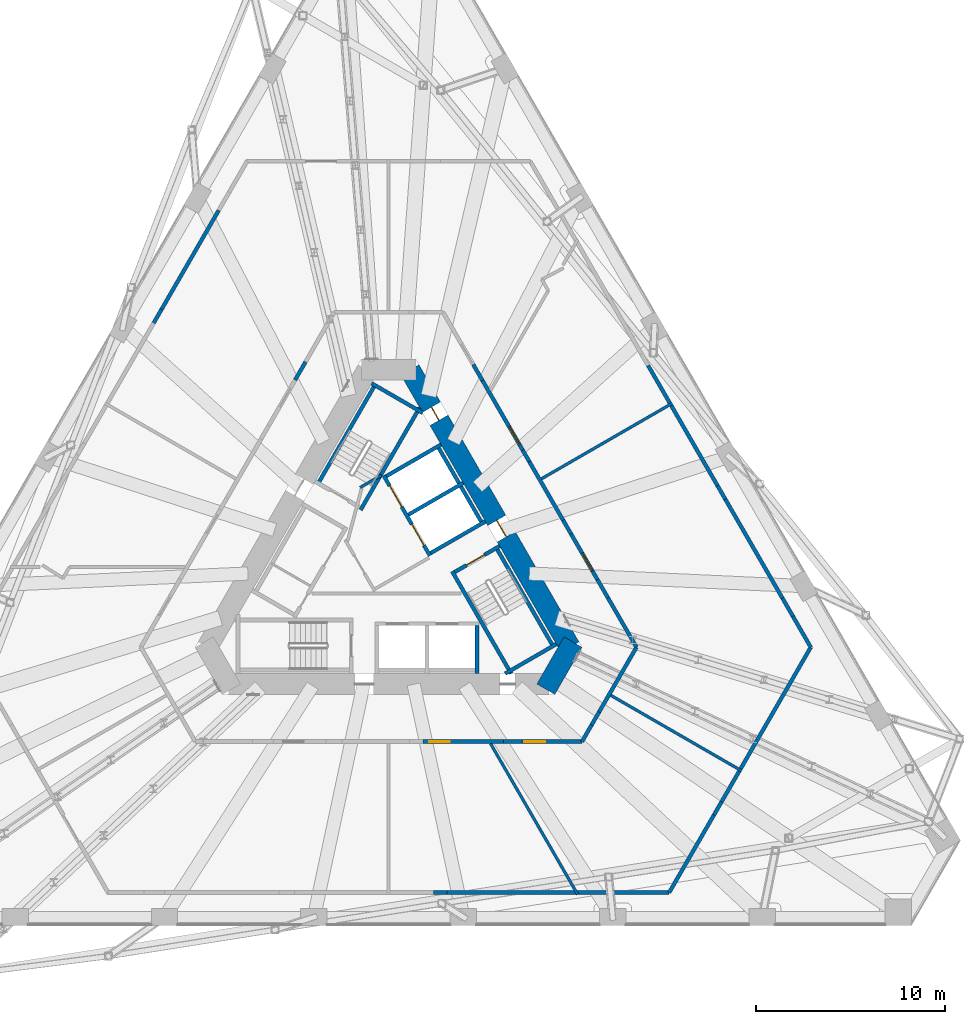
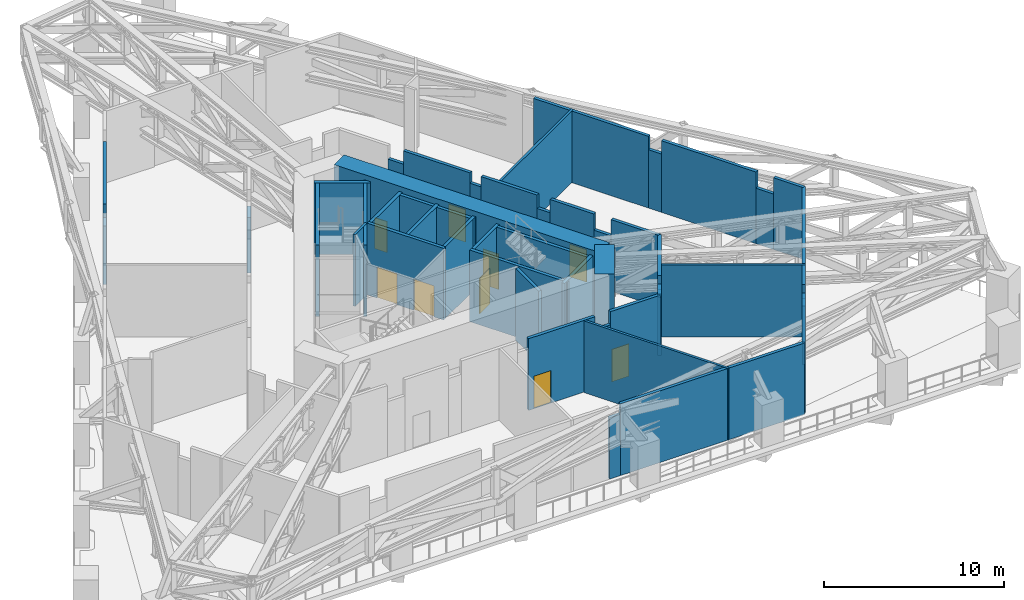
# One storey, part 12 of 20: 46 walls, 9 doors, 9 openings.
"""IFC4 building model written with IfcOpenShell, lengths in metres."""

from ifc_helpers import new_model, si_unit, direction, frame, frame_2d, origin, place, context, subcontext, project, spatial, rectangle, extrude, material, layer, layer_set, type_object, element, fill, save


model = new_model("IFC4")

# Units and contexts
model_context = context("Model", 3, precision=1e-05, world=origin(), true_north=direction((0.0, 1.0)))
body_context = subcontext(model_context, "Body", "Model", "MODEL_VIEW")
ifc_project = project(units=[si_unit("LENGTHUNIT", "METRE"), si_unit("AREAUNIT", "SQUARE_METRE"), si_unit("VOLUMEUNIT", "CUBIC_METRE"), si_unit("PLANEANGLEUNIT", "RADIAN"), si_unit("MASSUNIT", "GRAM", prefix="KILO")], contexts=[model_context])

# Site, building, storey
site_placement = place(None, origin())
site = spatial("IfcSite", under=ifc_project, at=site_placement, CompositionType="ELEMENT")
building_placement = place(site_placement, origin())
building = spatial("IfcBuilding", under=site, at=building_placement, Name="Tramontana Tower", CompositionType="ELEMENT")
storey_placement = place(building_placement, frame((0.0, 0.0, 46.0)))
storey = spatial("IfcBuildingStorey", under=building, at=storey_placement, Name="L09", CompositionType="ELEMENT", Elevation=46.0)

# Wall
ifc_material_1 = material(Name="Concrete 70 MPa", Category="concrete")
ifc_layer_1 = layer(ifc_material_1, 1.10009765625)
ifc_layer_set_1 = layer_set([ifc_layer_1], Name="Core wall 1100 70 MPa")
wall_type_1 = type_object("IfcWallType", Name="Core wall 1100 70 MPa", PredefinedType="SHEAR", material=ifc_layer_set_1)
wall_1_placement = place(storey_placement, frame((8.328369140625, -6.47509765625, 0.0), z_axis=(0.0, 0.0, 1.0), x_axis=(0.499995765644, 0.866027848477, 0.0)))
element("IfcWall", 1, at=wall_1_placement, inside=storey, type_object=wall_type_1, Name="Core wall C4 L09", PredefinedType="SHEAR", context=body_context, shape_type="SweptSolid", body=[
    extrude(rectangle(XDim=2.88671875, YDim=1.10009765625, at=frame_2d((1.443359375, 0.0))), origin(), (0.0, 0.0, 1.0), 5.199951171875),
])

# Wall, openings, doors
wall_2_placement = place(storey_placement, frame((9.61279296875, -4.25, 0.0), z_axis=(0.0, 0.0, 1.0), x_axis=(-0.500001757713, 0.866024388966, 0.0)))
wall_2 = element("IfcWall", 2, at=wall_2_placement, inside=storey, type_object=wall_type_1, Name="Core wall C5 L09", PredefinedType="SHEAR", context=body_context, shape_type="SweptSolid", body=[
    extrude(rectangle(XDim=16.97412109375, YDim=1.10009765625, at=frame_2d((8.487060546875, 0.0))), origin(), (0.0, 0.0, 1.0), 5.199951171875),
])
opening_1_placement = place(wall_2_placement, frame((6.761962890625, 0.0, 0.0)))
opening_1 = element("IfcOpeningElement", 3, at=opening_1_placement, cuts=wall_2, Name="Opening RG3", PredefinedType="OPENING", context=body_context, shape_type="SweptSolid", body=[
    extrude(rectangle(XDim=1.0, YDim=2.39990234375, at=frame_2d((0.5, 1.199951171875))), frame((0.0, 0.56005859375, 0.0), z_axis=(0.0, -1.0, 0.0), x_axis=(1.0, 0.0, 0.0)), (0.0, 0.0, 1.0), 1.1201171875),
])
opening_2_placement = place(wall_2_placement, frame((13.88916015625, 0.0, 0.0)))
opening_2 = element("IfcOpeningElement", 4, at=opening_2_placement, cuts=wall_2, Name="Opening PD3", PredefinedType="OPENING", context=body_context, shape_type="SweptSolid", body=[
    extrude(rectangle(XDim=0.800048828125, YDim=2.10009765625, at=frame_2d((0.39990234375, 1.050048828125))), frame((0.0, 0.56005859375, 0.0), z_axis=(0.0, -1.0, 0.0), x_axis=(1.0, 0.0, 0.0)), (0.0, 0.0, 1.0), 1.1201171875),
])
ifc_material_2 = material(Name="Painted steel", Category="steel")
door_type_1 = type_object("IfcDoorType", Name="CUPBOARD DOOR 800", OperationType="SINGLE_SWING_LEFT", PredefinedType="DOOR", material=ifc_material_2)
door_1_placement = place(opening_2_placement, origin())
door_1 = element("IfcDoor", 5, at=door_1_placement, inside=storey, type_object=door_type_1, Name="Door PD3", OperationType="SINGLE_SWING_RIGHT", OverallHeight=2.10009765625, OverallWidth=0.800048828125, PredefinedType="DOOR", context=body_context, shape_type="SweptSolid", body=[
    extrude(rectangle(XDim=0.800048828125, YDim=2.10009765625, at=frame_2d((0.39990234375, 1.050048828125))), frame((0.0, 0.02490234375, 0.0), z_axis=(0.0, -1.0, 0.0), x_axis=(1.0, 0.0, 0.0)), (0.0, 0.0, 1.0), 0.050048828125),
])
fill(opening_2, door_1)
ifc_material_3 = material(Name="Painted steel", Category="steel")
door_type_2 = type_object("IfcDoorType", Name="RING DOOR 1000", OperationType="SINGLE_SWING_LEFT", PredefinedType="DOOR", material=ifc_material_3)
door_2_placement = place(opening_1_placement, origin())
door_2 = element("IfcDoor", 6, at=door_2_placement, inside=storey, type_object=door_type_2, Name="Door RG3", OperationType="SINGLE_SWING_RIGHT", OverallHeight=2.39990234375, OverallWidth=1.0, PredefinedType="DOOR", context=body_context, shape_type="SweptSolid", body=[
    extrude(rectangle(XDim=1.0, YDim=2.39990234375, at=frame_2d((0.5, 1.199951171875))), frame((0.0, 0.02490234375, 0.0), z_axis=(0.0, -1.0, 0.0), x_axis=(1.0, 0.0, 0.0)), (0.0, 0.0, 1.0), 0.050048828125),
])
fill(opening_1, door_2)

# Walls
ifc_material_4 = material(Name="Blockwork", Category="masonry")
ifc_layer_2 = layer(ifc_material_4, 0.199951171875)
ifc_layer_set_2 = layer_set([ifc_layer_2], Name="ENCLOSURE WALL 200")
wall_type_2 = type_object("IfcWallType", Name="ENCLOSURE WALL 200", PredefinedType="SOLIDWALL", material=ifc_layer_set_2)
wall_3_placement = place(storey_placement, frame((13.75, 10.684326171875, 0.0), z_axis=(0.0, 0.0, 1.0), x_axis=(0.499983921128, -0.866034686726, 0.0)))
element("IfcWall", 7, at=wall_3_placement, inside=storey, type_object=wall_type_2, Name="Wall enc0-2", PredefinedType="SOLIDWALL", context=body_context, shape_type="SweptSolid", body=[
    extrude(rectangle(XDim=7.355224609375, YDim=0.199951171875, at=frame_2d((3.677734375, 0.0))), origin(), (0.0, 0.0, 1.0), 4.85009765625),
])
wall_4_placement = place(storey_placement, frame((17.427490234375, 4.314453125, 0.0), z_axis=(0.0, 0.0, 1.0), x_axis=(0.500117447933, -0.865957584569, 0.0)))
element("IfcWall", 8, at=wall_4_placement, inside=storey, type_object=wall_type_2, Name="Wall enc0-3", PredefinedType="SOLIDWALL", context=body_context, shape_type="SweptSolid", body=[
    extrude(rectangle(XDim=0.838134765625, YDim=0.199951171875, at=frame_2d((0.4189453125, 0.0))), origin(), (0.0, 0.0, 1.0), 3.949951171875),
])
wall_5_placement = place(storey_placement, frame((17.8466796875, 3.588623046875, 0.0), z_axis=(0.0, 0.0, 1.0), x_axis=(0.500000658726, -0.866025023469, 0.0)))
element("IfcWall", 9, at=wall_5_placement, inside=storey, type_object=wall_type_2, Name="Wall enc0-4", PredefinedType="SOLIDWALL", context=body_context, shape_type="SweptSolid", body=[
    extrude(rectangle(XDim=6.0517578125, YDim=0.199951171875, at=frame_2d((3.02587890625, 0.0))), origin(), (0.0, 0.0, 1.0), 4.85009765625),
])
wall_6_placement = place(storey_placement, frame((20.87255859375, -1.65234375, 0.0), z_axis=(0.0, 0.0, 1.0), x_axis=(0.499951133605, -0.866053614973, 0.0)))
element("IfcWall", 10, at=wall_6_placement, inside=storey, type_object=wall_type_2, Name="Wall enc0-5", PredefinedType="SOLIDWALL", context=body_context, shape_type="SweptSolid", body=[
    extrude(rectangle(XDim=1.10888671875, YDim=0.199951171875, at=frame_2d((0.554443359375, 0.0))), origin(), (0.0, 0.0, 1.0), 3.75),
])
wall_7_placement = place(storey_placement, frame((21.427001953125, -2.61279296875, 0.0), z_axis=(0.0, 0.0, 1.0), x_axis=(0.5000279999, -0.866009237431, 0.0)))
element("IfcWall", 11, at=wall_7_placement, inside=storey, type_object=wall_type_2, Name="Wall enc0-6", PredefinedType="SOLIDWALL", context=body_context, shape_type="SweptSolid", body=[
    extrude(rectangle(XDim=1.890625, YDim=0.199951171875, at=frame_2d((0.9453125, 0.0))), origin(), (0.0, 0.0, 1.0), 4.85009765625),
])
wall_8_placement = place(storey_placement, frame((22.372314453125, -4.25, 0.0), z_axis=(0.0, 0.0, 1.0), x_axis=(-0.50000482836, -0.866022616111, 0.0)))
element("IfcWall", 12, at=wall_8_placement, inside=storey, type_object=wall_type_2, Name="Wall enc1-0", PredefinedType="SOLIDWALL", context=body_context, shape_type="SweptSolid", body=[
    extrude(rectangle(XDim=9.455078125, YDim=0.199951171875, at=frame_2d((4.7275390625, 0.0))), origin(), (0.0, 0.0, 1.0), 4.85009765625),
])
wall_9_placement = place(storey_placement, frame((17.644775390625, -12.438232421875, 0.0), z_axis=(0.0, 0.0, 1.0), x_axis=(-0.499923776705, -0.866069406852, 0.0)))
element("IfcWall", 13, at=wall_9_placement, inside=storey, type_object=wall_type_2, Name="Wall enc1-1", PredefinedType="SOLIDWALL", context=body_context, shape_type="SweptSolid", body=[
    extrude(rectangle(XDim=0.804931640625, YDim=0.199951171875, at=frame_2d((0.40234375, 0.0))), origin(), (0.0, 0.0, 1.0), 3.949951171875),
])
wall_10_placement = place(storey_placement, frame((17.242431640625, -13.13525390625, 0.0), z_axis=(0.0, 0.0, 1.0), x_axis=(-0.500013047366, -0.866017870753, 0.0)))
element("IfcWall", 14, at=wall_10_placement, inside=storey, type_object=wall_type_2, Name="Wall enc1-2", PredefinedType="SOLIDWALL", context=body_context, shape_type="SweptSolid", body=[
    extrude(rectangle(XDim=4.751220703125, YDim=0.199951171875, at=frame_2d((2.37548828125, 0.0))), origin(), (0.0, 0.0, 1.0), 4.85009765625),
])
wall_11_placement = place(storey_placement, frame((14.86669921875, -17.25, 0.0), z_axis=(0.0, 0.0, 1.0), x_axis=(-1.0, 0.0, 0.0)))
element("IfcWall", 15, at=wall_11_placement, inside=storey, type_object=wall_type_2, Name="Wall enc2-0", PredefinedType="SOLIDWALL", context=body_context, shape_type="SweptSolid", body=[
    extrude(rectangle(XDim=11.7802734375, YDim=0.199951171875, at=frame_2d((5.89013671875, 0.0))), origin(), (0.0, 0.0, 1.0), 4.85009765625),
])
wall_12_placement = place(storey_placement, frame((3.08642578125, -17.25, 0.0), z_axis=(0.0, 0.0, 1.0), x_axis=(-1.0, 0.0, 0.0)))
element("IfcWall", 16, at=wall_12_placement, inside=storey, type_object=wall_type_2, Name="Wall enc2-1", PredefinedType="SOLIDWALL", context=body_context, shape_type="SweptSolid", body=[
    extrude(rectangle(XDim=0.708740234375, YDim=0.199951171875, at=frame_2d((0.3544921875, 0.0))), origin(), (0.0, 0.0, 1.0), 4.14990234375),
])
wall_13_placement = place(storey_placement, frame((-12.4501953125, 12.935546875, 0.0), z_axis=(0.0, 0.0, 1.0), x_axis=(0.499898978922, 0.866083720475, 0.0)))
element("IfcWall", 17, at=wall_13_placement, inside=storey, type_object=wall_type_2, Name="Wall enc4-3", PredefinedType="SOLIDWALL", context=body_context, shape_type="SweptSolid", body=[
    extrude(rectangle(XDim=0.838134765625, YDim=0.199951171875, at=frame_2d((0.4189453125, 0.0))), origin(), (0.0, 0.0, 1.0), 3.949951171875),
])
wall_14_placement = place(storey_placement, frame((-12.03125, 13.661376953125, 0.0), z_axis=(0.0, 0.0, 1.0), x_axis=(0.500000658726, 0.866025023469, 0.0)))
element("IfcWall", 18, at=wall_14_placement, inside=storey, type_object=wall_type_2, Name="Wall enc4-4", PredefinedType="SOLIDWALL", context=body_context, shape_type="SweptSolid", body=[
    extrude(rectangle(XDim=6.0517578125, YDim=0.199951171875, at=frame_2d((3.02587890625, 0.0))), origin(), (0.0, 0.0, 1.0), 4.85009765625),
])
ifc_material_5 = material(Name="Blockwork", Category="masonry")
ifc_layer_3 = layer(ifc_material_5, 0.199951171875)
ifc_layer_set_3 = layer_set([ifc_layer_3], Name="ENTRY WALL 200")
wall_type_3 = type_object("IfcWallType", Name="ENTRY WALL 200", PredefinedType="SOLIDWALL", material=ifc_layer_set_3)
wall_15_placement = place(storey_placement, frame((4.482177734375, 10.73681640625, 0.0), z_axis=(0.0, 0.0, 1.0), x_axis=(0.499966601515, -0.86604468555, 0.0)))
element("IfcWall", 19, at=wall_15_placement, inside=storey, type_object=wall_type_3, Name="Wall ew0-1", PredefinedType="SOLIDWALL", context=body_context, shape_type="SweptSolid", body=[
    extrude(rectangle(XDim=0.98095703125, YDim=0.199951171875, at=frame_2d((0.490478515625, 0.0))), origin(), (0.0, 0.0, 1.0), 3.949951171875),
])

# Wall, opening, door
wall_16_placement = place(storey_placement, frame((4.97265625, 9.88720703125, 0.0), z_axis=(0.0, 0.0, 1.0), x_axis=(0.500000470374, -0.866025132214, 0.0)))
wall_16 = element("IfcWall", 20, at=wall_16_placement, inside=storey, type_object=wall_type_3, Name="Wall ew0-2", PredefinedType="SOLIDWALL", context=body_context, shape_type="SweptSolid", body=[
    extrude(rectangle(XDim=4.2568359375, YDim=0.199951171875, at=frame_2d((2.12841796875, 0.0))), origin(), (0.0, 0.0, 1.0), 4.85009765625),
])
opening_3_placement = place(wall_16_placement, frame((2.8271484375, 0.0, 0.0)))
opening_3 = element("IfcOpeningElement", 21, at=opening_3_placement, cuts=wall_16, Name="Opening L09-09", PredefinedType="OPENING", context=body_context, shape_type="SweptSolid", body=[
    extrude(rectangle(XDim=1.10009765625, YDim=2.199951171875, at=frame_2d((0.550048828125, 1.10009765625))), frame((0.0, 0.10986328125, 0.0), z_axis=(0.0, -1.0, 0.0), x_axis=(1.0, 0.0, 0.0)), (0.0, 0.0, 1.0), 0.219970703125),
])
ifc_material_6 = material(Name="Painted steel", Category="steel")
door_type_3 = type_object("IfcDoorType", Name="PLANT DOOR 1100", OperationType="SINGLE_SWING_LEFT", PredefinedType="DOOR", material=ifc_material_6)
door_3_placement = place(opening_3_placement, origin())
door_3 = element("IfcDoor", 22, at=door_3_placement, inside=storey, type_object=door_type_3, Name="Door L09-09", OperationType="SINGLE_SWING_LEFT", OverallHeight=2.199951171875, OverallWidth=1.10009765625, PredefinedType="DOOR", context=body_context, shape_type="SweptSolid", body=[
    extrude(rectangle(XDim=1.10009765625, YDim=2.199951171875, at=frame_2d((0.550048828125, 1.10009765625))), frame((0.0, 0.02490234375, 0.0), z_axis=(0.0, -1.0, 0.0), x_axis=(1.0, 0.0, 0.0)), (0.0, 0.0, 1.0), 0.050048828125),
])
fill(opening_3, door_3)

# Walls
wall_17_placement = place(storey_placement, frame((7.10107421875, 6.20068359375, 0.0), z_axis=(0.0, 0.0, 1.0), x_axis=(0.499881507708, -0.866093804534, 0.0)))
element("IfcWall", 23, at=wall_17_placement, inside=storey, type_object=wall_type_3, Name="Wall ew0-3", PredefinedType="SOLIDWALL", context=body_context, shape_type="SweptSolid", body=[
    extrude(rectangle(XDim=0.708740234375, YDim=0.199951171875, at=frame_2d((0.3544921875, 0.0))), origin(), (0.0, 0.0, 1.0), 4.14990234375),
])
wall_18_placement = place(storey_placement, frame((7.455322265625, 5.5869140625, 0.0), z_axis=(0.0, 0.0, 1.0), x_axis=(0.500013241293, -0.866017758786, 0.0)))
element("IfcWall", 24, at=wall_18_placement, inside=storey, type_object=wall_type_3, Name="Wall ew0-4", PredefinedType="SOLIDWALL", context=body_context, shape_type="SweptSolid", body=[
    extrude(rectangle(XDim=3.58544921875, YDim=0.199951171875, at=frame_2d((1.792724609375, 0.0))), origin(), (0.0, 0.0, 1.0), 4.85009765625),
])
wall_19_placement = place(storey_placement, frame((9.248046875, 2.48193359375, 0.0), z_axis=(0.0, 0.0, 1.0), x_axis=(0.500117447933, -0.865957584569, 0.0)))
element("IfcWall", 25, at=wall_19_placement, inside=storey, type_object=wall_type_3, Name="Wall ew0-5", PredefinedType="SOLIDWALL", context=body_context, shape_type="SweptSolid", body=[
    extrude(rectangle(XDim=0.838134765625, YDim=0.199951171875, at=frame_2d((0.4189453125, 0.0))), origin(), (0.0, 0.0, 1.0), 3.949951171875),
])

# Wall, opening, door
wall_20_placement = place(storey_placement, frame((9.667236328125, 1.756103515625, 0.0), z_axis=(0.0, 0.0, 1.0), x_axis=(0.499964529649, -0.866045881633, 0.0)))
wall_20 = element("IfcWall", 26, at=wall_20_placement, inside=storey, type_object=wall_type_3, Name="Wall ew0-6", PredefinedType="SOLIDWALL", context=body_context, shape_type="SweptSolid", body=[
    extrude(rectangle(XDim=2.793701171875, YDim=0.199951171875, at=frame_2d((1.39697265625, 0.0))), origin(), (0.0, 0.0, 1.0), 4.85009765625),
])
opening_4_placement = place(wall_20_placement, frame((1.18017578125, 0.0, 0.0)))
opening_4 = element("IfcOpeningElement", 27, at=opening_4_placement, cuts=wall_20, Name="Opening L09-08", PredefinedType="OPENING", context=body_context, shape_type="SweptSolid", body=[
    extrude(rectangle(XDim=1.10009765625, YDim=2.199951171875, at=frame_2d((0.550048828125, 1.10009765625))), frame((0.0, 0.10986328125, 0.0), z_axis=(0.0, -1.0, 0.0), x_axis=(1.0, 0.0, 0.0)), (0.0, 0.0, 1.0), 0.219970703125),
])
door_4_placement = place(opening_4_placement, origin())
door_4 = element("IfcDoor", 28, at=door_4_placement, inside=storey, type_object=door_type_3, Name="Door L09-08", OperationType="SINGLE_SWING_RIGHT", OverallHeight=2.199951171875, OverallWidth=1.10009765625, PredefinedType="DOOR", context=body_context, shape_type="SweptSolid", body=[
    extrude(rectangle(XDim=1.10009765625, YDim=2.199951171875, at=frame_2d((0.550048828125, 1.10009765625))), frame((0.0, 0.02490234375, 0.0), z_axis=(0.0, -1.0, 0.0), x_axis=(1.0, 0.0, 0.0)), (0.0, 0.0, 1.0), 0.050048828125),
])
fill(opening_4, door_4)

# Walls
wall_21_placement = place(storey_placement, frame((11.06396484375, -0.663330078125, 0.0), z_axis=(0.0, 0.0, 1.0), x_axis=(0.499951133605, -0.866053614973, 0.0)))
element("IfcWall", 29, at=wall_21_placement, inside=storey, type_object=wall_type_3, Name="Wall ew0-7", PredefinedType="SOLIDWALL", context=body_context, shape_type="SweptSolid", body=[
    extrude(rectangle(XDim=1.10888671875, YDim=0.199951171875, at=frame_2d((0.554443359375, 0.0))), origin(), (0.0, 0.0, 1.0), 3.75),
])
wall_22_placement = place(storey_placement, frame((11.618408203125, -1.623779296875, 0.0), z_axis=(0.0, 0.0, 1.0), x_axis=(0.500026757412, -0.866009954834, 0.0)))
element("IfcWall", 30, at=wall_22_placement, inside=storey, type_object=wall_type_3, Name="Wall ew0-8", PredefinedType="SOLIDWALL", context=body_context, shape_type="SweptSolid", body=[
    extrude(rectangle(XDim=3.032470703125, YDim=0.199951171875, at=frame_2d((1.51611328125, 0.0))), origin(), (0.0, 0.0, 1.0), 4.85009765625),
])
wall_23_placement = place(storey_placement, frame((13.134765625, -4.25, 0.0), z_axis=(0.0, 0.0, 1.0), x_axis=(-0.499983883921, -0.866034708207, 0.0)))
element("IfcWall", 31, at=wall_23_placement, inside=storey, type_object=wall_type_3, Name="Wall ew1-0", PredefinedType="SOLIDWALL", context=body_context, shape_type="SweptSolid", body=[
    extrude(rectangle(XDim=3.961181640625, YDim=0.199951171875, at=frame_2d((1.98046875, 0.0))), origin(), (0.0, 0.0, 1.0), 4.85009765625),
])
wall_24_placement = place(storey_placement, frame((11.154296875, -7.680419921875, 0.0), z_axis=(0.0, 0.0, 1.0), x_axis=(-0.500151261923, -0.865938055058, 0.0)))
element("IfcWall", 32, at=wall_24_placement, inside=storey, type_object=wall_type_3, Name="Wall ew1-1", PredefinedType="SOLIDWALL", context=body_context, shape_type="SweptSolid", body=[
    extrude(rectangle(XDim=0.804931640625, YDim=0.199951171875, at=frame_2d((0.40234375, 0.0))), origin(), (0.0, 0.0, 1.0), 3.949951171875),
])
wall_25_placement = place(storey_placement, frame((10.751708984375, -8.37744140625, 0.0), z_axis=(0.0, 0.0, 1.0), x_axis=(-0.499918237861, -0.866072604031, 0.0)))
element("IfcWall", 33, at=wall_25_placement, inside=storey, type_object=wall_type_3, Name="Wall ew1-2", PredefinedType="SOLIDWALL", context=body_context, shape_type="SweptSolid", body=[
    extrude(rectangle(XDim=1.007568359375, YDim=0.199951171875, at=frame_2d((0.50390625, 0.0))), origin(), (0.0, 0.0, 1.0), 4.85009765625),
])

# Wall, opening, door
wall_26_placement = place(storey_placement, frame((10.248046875, -9.25, 0.0), z_axis=(0.0, 0.0, 1.0), x_axis=(-1.0, 0.0, 0.0)))
wall_26 = element("IfcWall", 34, at=wall_26_placement, inside=storey, type_object=wall_type_3, Name="Wall ew2-0", PredefinedType="SOLIDWALL", context=body_context, shape_type="SweptSolid", body=[
    extrude(rectangle(XDim=3.190673828125, YDim=0.199951171875, at=frame_2d((1.59521484375, 0.0))), origin(), (0.0, 0.0, 1.0), 4.85009765625),
])
opening_5_placement = place(wall_26_placement, frame((1.95556640625, 0.0, 0.0)))
opening_5 = element("IfcOpeningElement", 35, at=opening_5_placement, cuts=wall_26, Name="Opening L09-07", PredefinedType="OPENING", context=body_context, shape_type="SweptSolid", body=[
    extrude(rectangle(XDim=1.10009765625, YDim=2.199951171875, at=frame_2d((0.550048828125, 1.10009765625))), frame((0.0, 0.10986328125, 0.0), z_axis=(0.0, -1.0, 0.0), x_axis=(1.0, 0.0, 0.0)), (0.0, 0.0, 1.0), 0.219970703125),
])
door_5_placement = place(opening_5_placement, origin())
door_5 = element("IfcDoor", 36, at=door_5_placement, inside=storey, type_object=door_type_3, Name="Door L09-07", OperationType="SINGLE_SWING_LEFT", OverallHeight=2.199951171875, OverallWidth=1.10009765625, PredefinedType="DOOR", context=body_context, shape_type="SweptSolid", body=[
    extrude(rectangle(XDim=1.10009765625, YDim=2.199951171875, at=frame_2d((0.550048828125, 1.10009765625))), frame((0.0, 0.02490234375, 0.0), z_axis=(0.0, -1.0, 0.0), x_axis=(1.0, 0.0, 0.0)), (0.0, 0.0, 1.0), 0.050048828125),
])
fill(opening_5, door_5)

# Wall
wall_27_placement = place(storey_placement, frame((7.057373046875, -9.25, 0.0), z_axis=(0.0, 0.0, 1.0), x_axis=(-1.0, 0.0, 0.0)))
element("IfcWall", 37, at=wall_27_placement, inside=storey, type_object=wall_type_3, Name="Wall ew2-1", PredefinedType="SOLIDWALL", context=body_context, shape_type="SweptSolid", body=[
    extrude(rectangle(XDim=0.981201171875, YDim=0.199951171875, at=frame_2d((0.49072265625, 0.0))), origin(), (0.0, 0.0, 1.0), 3.949951171875),
])

# Wall, opening, door
wall_28_placement = place(storey_placement, frame((6.076171875, -9.25, 0.0), z_axis=(0.0, 0.0, 1.0), x_axis=(-1.0, 0.0, 0.0)))
wall_28 = element("IfcWall", 38, at=wall_28_placement, inside=storey, type_object=wall_type_3, Name="Wall ew2-2", PredefinedType="SOLIDWALL", context=body_context, shape_type="SweptSolid", body=[
    extrude(rectangle(XDim=4.2568359375, YDim=0.199951171875, at=frame_2d((2.12841796875, 0.0))), origin(), (0.0, 0.0, 1.0), 4.85009765625),
])
opening_6_placement = place(wall_28_placement, frame((2.826904296875, 0.0, 0.0)))
opening_6 = element("IfcOpeningElement", 39, at=opening_6_placement, cuts=wall_28, Name="Opening L09-06", PredefinedType="OPENING", context=body_context, shape_type="SweptSolid", body=[
    extrude(rectangle(XDim=1.10009765625, YDim=2.199951171875, at=frame_2d((0.550048828125, 1.10009765625))), frame((0.0, 0.10986328125, 0.0), z_axis=(0.0, -1.0, 0.0), x_axis=(1.0, 0.0, 0.0)), (0.0, 0.0, 1.0), 0.219970703125),
])
door_6_placement = place(opening_6_placement, origin())
door_6 = element("IfcDoor", 40, at=door_6_placement, inside=storey, type_object=door_type_3, Name="Door L09-06", OperationType="SINGLE_SWING_RIGHT", OverallHeight=2.199951171875, OverallWidth=1.10009765625, PredefinedType="DOOR", context=body_context, shape_type="SweptSolid", body=[
    extrude(rectangle(XDim=1.10009765625, YDim=2.199951171875, at=frame_2d((0.550048828125, 1.10009765625))), frame((0.0, 0.02490234375, 0.0), z_axis=(0.0, -1.0, 0.0), x_axis=(1.0, 0.0, 0.0)), (0.0, 0.0, 1.0), 0.050048828125),
])
fill(opening_6, door_6)

# Walls
wall_29_placement = place(storey_placement, frame((-4.95751953125, 9.913330078125, 0.0), z_axis=(0.0, 0.0, 1.0), x_axis=(0.499951133605, 0.866053614973, 0.0)))
element("IfcWall", 41, at=wall_29_placement, inside=storey, type_object=wall_type_3, Name="Wall ew4-7", PredefinedType="SOLIDWALL", context=body_context, shape_type="SweptSolid", body=[
    extrude(rectangle(XDim=1.10888671875, YDim=0.199951171875, at=frame_2d((0.554443359375, 0.0))), origin(), (0.0, 0.0, 1.0), 3.75),
])
ifc_material_7 = material(Name="Gypsum board partition")
ifc_layer_4 = layer(ifc_material_7, 0.14990234375)
ifc_layer_set_4 = layer_set([ifc_layer_4], Name="PARTITION 150")
wall_type_4 = type_object("IfcWallType", Name="PARTITION 150", PredefinedType="PARTITIONING", material=ifc_layer_set_4)
wall_30_placement = place(storey_placement, frame((-1.509765625, 4.21484375, 0.0), z_axis=(0.0, 0.0, 1.0), x_axis=(0.866085525409, 0.49989585183, 0.0)))
element("IfcWall", 42, at=wall_30_placement, inside=storey, type_object=wall_type_4, Name="Wall ff-end1", PredefinedType="PARTITIONING", context=body_context, shape_type="SweptSolid", body=[
    extrude(rectangle(XDim=1.300048828125, YDim=0.14990234375, at=frame_2d((0.64990234375, 0.0))), origin(), (0.0, 0.0, 1.0), 4.85009765625),
])
wall_31_placement = place(storey_placement, frame((5.398193359375, -9.35009765625, 0.0), z_axis=(0.0, 0.0, 1.0), x_axis=(0.500007658653, -0.866020982014, 0.0)))
element("IfcWall", 43, at=wall_31_placement, inside=storey, type_object=wall_type_4, Name="Wall fw-pw08", PredefinedType="PARTITIONING", context=body_context, shape_type="SweptSolid", body=[
    extrude(rectangle(XDim=9.237548828125, YDim=0.14990234375, at=frame_2d((4.61865234375, 0.0))), origin(), (0.0, 0.0, 1.0), 4.85009765625),
])
wall_32_placement = place(storey_placement, frame((8.097412109375, 4.675048828125, 0.0), z_axis=(0.0, 0.0, 1.0), x_axis=(0.866018381195, 0.500012163284, 0.0)))
element("IfcWall", 44, at=wall_32_placement, inside=storey, type_object=wall_type_4, Name="Wall fw-pw09", PredefinedType="PARTITIONING", context=body_context, shape_type="SweptSolid", body=[
    extrude(rectangle(XDim=7.999755859375, YDim=0.14990234375, at=frame_2d((4.0, 0.0))), origin(), (0.0, 0.0, 1.0), 4.85009765625),
])
wall_33_placement = place(storey_placement, frame((11.77783203125, -6.800048828125, 0.0), z_axis=(0.0, 0.0, 1.0), x_axis=(0.866026010844, -0.49999894854, 0.0)))
element("IfcWall", 45, at=wall_33_placement, inside=storey, type_object=wall_type_4, Name="Wall fw-pw14", PredefinedType="PARTITIONING", context=body_context, shape_type="SweptSolid", body=[
    extrude(rectangle(XDim=8.0, YDim=0.14990234375, at=frame_2d((4.0, 0.0))), origin(), (0.0, 0.0, 1.0), 4.85009765625),
])
ifc_material_8 = material(Name="Concrete 70 MPa", Category="concrete")
ifc_layer_5 = layer(ifc_material_8, 0.199951171875)
ifc_layer_set_5 = layer_set([ifc_layer_5], Name="Concrete 70 MPa, 200 mm")
wall_type_5 = type_object("IfcWallType", Name="RC SHAFT BACK WALL 200", PredefinedType="SOLIDWALL", material=ifc_layer_set_5)
for number, where, z_axis, x_axis, name in (
    (46, (-0.679931640625, 9.722412109375, 0.0), (0.0, 0.0, 1.0), (-0.49998037582, -0.866036733513, 0.0), "Wall st1-back"),
    (47, (8.759765625, -4.2724609375, 0.0), (0.0, 0.0, 1.0), (-0.49998037582, 0.866036733513, 0.0), "Wall st3-back"),
):
    element("IfcWall", number, at=place(storey_placement, frame(where, z_axis=z_axis, x_axis=x_axis)), inside=storey, type_object=wall_type_5, Name=name, PredefinedType="SOLIDWALL", context=body_context, shape_type="SweptSolid", body=[
        extrude(rectangle(XDim=6.199951171875, YDim=0.199951171875, at=frame_2d((3.10009765625, 0.0))), origin(), (0.0, 0.0, 1.0), 4.85009765625),
    ])
wall_34_placement = place(storey_placement, frame((5.0048828125, 2.2314453125, 0.0), z_axis=(0.0, 0.0, 1.0), x_axis=(-0.500002801628, 0.866023786258, 0.0)))
element("IfcWall", 48, at=wall_34_placement, inside=storey, type_object=wall_type_5, Name="Wall row2-back", PredefinedType="SOLIDWALL", context=body_context, shape_type="SweptSolid", body=[
    extrude(rectangle(XDim=4.89990234375, YDim=0.199951171875, at=frame_2d((2.449951171875, 0.0))), origin(), (0.0, 0.0, 1.0), 4.85009765625),
])
ifc_material_9 = material(Name="Concrete 70 MPa", Category="concrete")
ifc_layer_6 = layer(ifc_material_9, 0.199951171875)
ifc_layer_set_6 = layer_set([ifc_layer_6], Name="Concrete 70 MPa, 200 mm")
wall_type_6 = type_object("IfcWallType", Name="RC STAIR AND SHAFT WALL 200", PredefinedType="SOLIDWALL", material=ifc_layer_set_6)
wall_35_placement = place(storey_placement, frame((1.6455078125, 8.449951171875, 0.0), z_axis=(0.0, 0.0, 1.0), x_axis=(-0.500006002103, -0.866021938441, 0.0)))
element("IfcWall", 49, at=wall_35_placement, inside=storey, type_object=wall_type_6, Name="Wall st1-front", PredefinedType="SOLIDWALL", context=body_context, shape_type="SweptSolid", body=[
    extrude(rectangle(XDim=6.2607421875, YDim=0.199951171875, at=frame_2d((3.13037109375, 0.0))), origin(), (0.0, 0.0, 1.0), 4.85009765625),
])
wall_36_placement = place(storey_placement, frame((1.80615234375, 8.171875, 0.0), z_axis=(0.0, 0.0, 1.0), x_axis=(-0.866054327916, 0.499949898588, 0.0)))
element("IfcWall", 50, at=wall_36_placement, inside=storey, type_object=wall_type_6, Name="Wall st1-far", PredefinedType="SOLIDWALL", context=body_context, shape_type="SweptSolid", body=[
    extrude(rectangle(XDim=3.128173828125, YDim=0.199951171875, at=frame_2d((1.56396484375, 0.0))), origin(), (0.0, 0.0, 1.0), 4.85009765625),
])
wall_37_placement = place(storey_placement, frame((6.4951171875, -5.64990234375, 0.0), z_axis=(0.0, 0.0, 1.0), x_axis=(-0.499976754523, 0.866038824151, 0.0)))
element("IfcWall", 51, at=wall_37_placement, inside=storey, type_object=wall_type_6, Name="Wall st3-front", PredefinedType="SOLIDWALL", context=body_context, shape_type="SweptSolid", body=[
    extrude(rectangle(XDim=6.260498046875, YDim=0.199951171875, at=frame_2d((3.13037109375, 0.0))), origin(), (0.0, 0.0, 1.0), 4.85009765625),
])
wall_38_placement = place(storey_placement, frame((6.173828125, -5.64990234375, 0.0), z_axis=(0.0, 0.0, 1.0), x_axis=(0.866054327916, 0.499949898588, 0.0)))
element("IfcWall", 52, at=wall_38_placement, inside=storey, type_object=wall_type_6, Name="Wall st3-far", PredefinedType="SOLIDWALL", context=body_context, shape_type="SweptSolid", body=[
    extrude(rectangle(XDim=3.128173828125, YDim=0.199951171875, at=frame_2d((1.56396484375, 0.0))), origin(), (0.0, 0.0, 1.0), 4.85009765625),
])

# Wall, opening, door
wall_39_placement = place(storey_placement, frame((3.50146484375, -0.2646484375, 0.0), z_axis=(0.0, 0.0, 1.0), x_axis=(0.866027397988, 0.499996545922, 0.0)))
wall_39 = element("IfcWall", 53, at=wall_39_placement, inside=storey, type_object=wall_type_6, Name="Wall st3-near", PredefinedType="SOLIDWALL", context=body_context, shape_type="SweptSolid", body=[
    extrude(rectangle(XDim=2.75, YDim=0.199951171875, at=frame_2d((1.375, 0.0))), origin(), (0.0, 0.0, 1.0), 4.85009765625),
])
opening_7_placement = place(wall_39_placement, frame((0.72509765625, 0.0, 0.0)))
opening_7 = element("IfcOpeningElement", 54, at=opening_7_placement, cuts=wall_39, Name="Opening SD3", PredefinedType="OPENING", context=body_context, shape_type="SweptSolid", body=[
    extrude(rectangle(XDim=1.10009765625, YDim=2.39990234375, at=frame_2d((0.550048828125, 1.199951171875))), frame((0.0, 0.10986328125, 0.0), z_axis=(0.0, -1.0, 0.0), x_axis=(1.0, 0.0, 0.0)), (0.0, 0.0, 1.0), 0.219970703125),
])
ifc_material_10 = material(Name="Painted steel", Category="steel")
door_type_4 = type_object("IfcDoorType", Name="STAIR DOOR 1100", OperationType="SINGLE_SWING_LEFT", PredefinedType="DOOR", material=ifc_material_10)
door_7_placement = place(opening_7_placement, origin())
door_7 = element("IfcDoor", 55, at=door_7_placement, inside=storey, type_object=door_type_4, Name="Door SD3", OperationType="SINGLE_SWING_RIGHT", OverallHeight=2.39990234375, OverallWidth=1.10009765625, PredefinedType="DOOR", context=body_context, shape_type="SweptSolid", body=[
    extrude(rectangle(XDim=1.10009765625, YDim=2.39990234375, at=frame_2d((0.550048828125, 1.199951171875))), frame((0.0, 0.02490234375, 0.0), z_axis=(0.0, -1.0, 0.0), x_axis=(1.0, 0.0, 0.0)), (0.0, 0.0, 1.0), 0.050048828125),
])
fill(opening_7, door_7)

# Wall
wall_40_placement = place(storey_placement, frame((4.68994140625, -3.10009765625, 0.0), z_axis=(0.0, 0.0, 1.0), x_axis=(0.0, -1.0, 0.0)))
element("IfcWall", 56, at=wall_40_placement, inside=storey, type_object=wall_type_6, Name="Wall row1-side2", PredefinedType="SOLIDWALL", context=body_context, shape_type="SweptSolid", body=[
    extrude(rectangle(XDim=2.5498046875, YDim=0.199951171875, at=frame_2d((1.27490234375, 0.0))), origin(), (0.0, 0.0, 1.0), 4.85009765625),
])

# Wall, openings, doors
wall_41_placement = place(storey_placement, frame((2.190185546875, 0.6064453125, 0.0), z_axis=(0.0, 0.0, 1.0), x_axis=(-0.500002801628, 0.866023786258, 0.0)))
wall_41 = element("IfcWall", 57, at=wall_41_placement, inside=storey, type_object=wall_type_6, Name="Wall row2-front", PredefinedType="SOLIDWALL", context=body_context, shape_type="SweptSolid", body=[
    extrude(rectangle(XDim=4.89990234375, YDim=0.199951171875, at=frame_2d((2.449951171875, 0.0))), origin(), (0.0, 0.0, 1.0), 4.85009765625),
])
opening_8_placement = place(wall_41_placement, frame((0.625, 0.0, 0.0)))
opening_8 = element("IfcOpeningElement", 58, at=opening_8_placement, cuts=wall_41, Name="Opening LD-F1", PredefinedType="OPENING", context=body_context, shape_type="SweptSolid", body=[
    extrude(rectangle(XDim=1.300048828125, YDim=2.10009765625, at=frame_2d((0.64990234375, 1.050048828125))), frame((0.0, 0.10986328125, 0.0), z_axis=(0.0, -1.0, 0.0), x_axis=(1.0, 0.0, 0.0)), (0.0, 0.0, 1.0), 0.219970703125),
])
opening_9_placement = place(wall_41_placement, frame((2.97509765625, 0.0, 0.0)))
opening_9 = element("IfcOpeningElement", 59, at=opening_9_placement, cuts=wall_41, Name="Opening LD-F2", PredefinedType="OPENING", context=body_context, shape_type="SweptSolid", body=[
    extrude(rectangle(XDim=1.300048828125, YDim=2.10009765625, at=frame_2d((0.64990234375, 1.050048828125))), frame((0.0, 0.10986328125, 0.0), z_axis=(0.0, -1.0, 0.0), x_axis=(1.0, 0.0, 0.0)), (0.0, 0.0, 1.0), 0.219970703125),
])
ifc_material_11 = material(Name="Brushed steel", Category="steel")
door_type_5 = type_object("IfcDoorType", Name="LANDING DOOR 1300", OperationType="SINGLE_SWING_LEFT", PredefinedType="DOOR", material=ifc_material_11)
door_8_placement = place(opening_8_placement, origin())
door_8 = element("IfcDoor", 60, at=door_8_placement, inside=storey, type_object=door_type_5, Name="Door LD-F1", OperationType="SLIDING_TO_LEFT", OverallHeight=2.10009765625, OverallWidth=1.300048828125, PredefinedType="DOOR", context=body_context, shape_type="SweptSolid", body=[
    extrude(rectangle(XDim=1.300048828125, YDim=2.10009765625, at=frame_2d((0.64990234375, 1.050048828125))), frame((0.0, 0.02490234375, 0.0), z_axis=(0.0, -1.0, 0.0), x_axis=(1.0, 0.0, 0.0)), (0.0, 0.0, 1.0), 0.050048828125),
])
fill(opening_8, door_8)
door_9_placement = place(opening_9_placement, origin())
door_9 = element("IfcDoor", 61, at=door_9_placement, inside=storey, type_object=door_type_5, Name="Door LD-F2", OperationType="SLIDING_TO_RIGHT", OverallHeight=2.10009765625, OverallWidth=1.300048828125, PredefinedType="DOOR", context=body_context, shape_type="SweptSolid", body=[
    extrude(rectangle(XDim=1.300048828125, YDim=2.10009765625, at=frame_2d((0.64990234375, 1.050048828125))), frame((0.0, 0.02490234375, 0.0), z_axis=(0.0, -1.0, 0.0), x_axis=(1.0, 0.0, 0.0)), (0.0, 0.0, 1.0), 0.050048828125),
])
fill(opening_9, door_9)

# Walls
wall_42_placement = place(storey_placement, frame((2.226806640625, 0.742919921875, 0.0), z_axis=(0.0, 0.0, 1.0), x_axis=(0.866014461049, 0.500018952895, 0.0)))
element("IfcWall", 62, at=wall_42_placement, inside=storey, type_object=wall_type_6, Name="Wall row2-side0", PredefinedType="SOLIDWALL", context=body_context, shape_type="SweptSolid", body=[
    extrude(rectangle(XDim=3.349853515625, YDim=0.199951171875, at=frame_2d((1.6748046875, 0.0))), origin(), (0.0, 0.0, 1.0), 4.85009765625),
])
wall_43_placement = place(storey_placement, frame((1.0517578125, 2.778076171875, 0.0), z_axis=(0.0, 0.0, 1.0), x_axis=(0.866032680314, 0.499987396469, 0.0)))
element("IfcWall", 63, at=wall_43_placement, inside=storey, type_object=wall_type_6, Name="Wall row2-side1", PredefinedType="SOLIDWALL", context=body_context, shape_type="SweptSolid", body=[
    extrude(rectangle(XDim=3.35009765625, YDim=0.199951171875, at=frame_2d((1.675048828125, 0.0))), origin(), (0.0, 0.0, 1.0), 4.85009765625),
])
wall_44_placement = place(storey_placement, frame((-0.123046875, 4.813232421875, 0.0), z_axis=(0.0, 0.0, 1.0), x_axis=(0.866014461049, 0.500018952895, 0.0)))
element("IfcWall", 64, at=wall_44_placement, inside=storey, type_object=wall_type_6, Name="Wall row2-side2", PredefinedType="SOLIDWALL", context=body_context, shape_type="SweptSolid", body=[
    extrude(rectangle(XDim=3.349853515625, YDim=0.199951171875, at=frame_2d((1.6748046875, 0.0))), origin(), (0.0, 0.0, 1.0), 4.85009765625),
])

save(model, "model.ifc")
